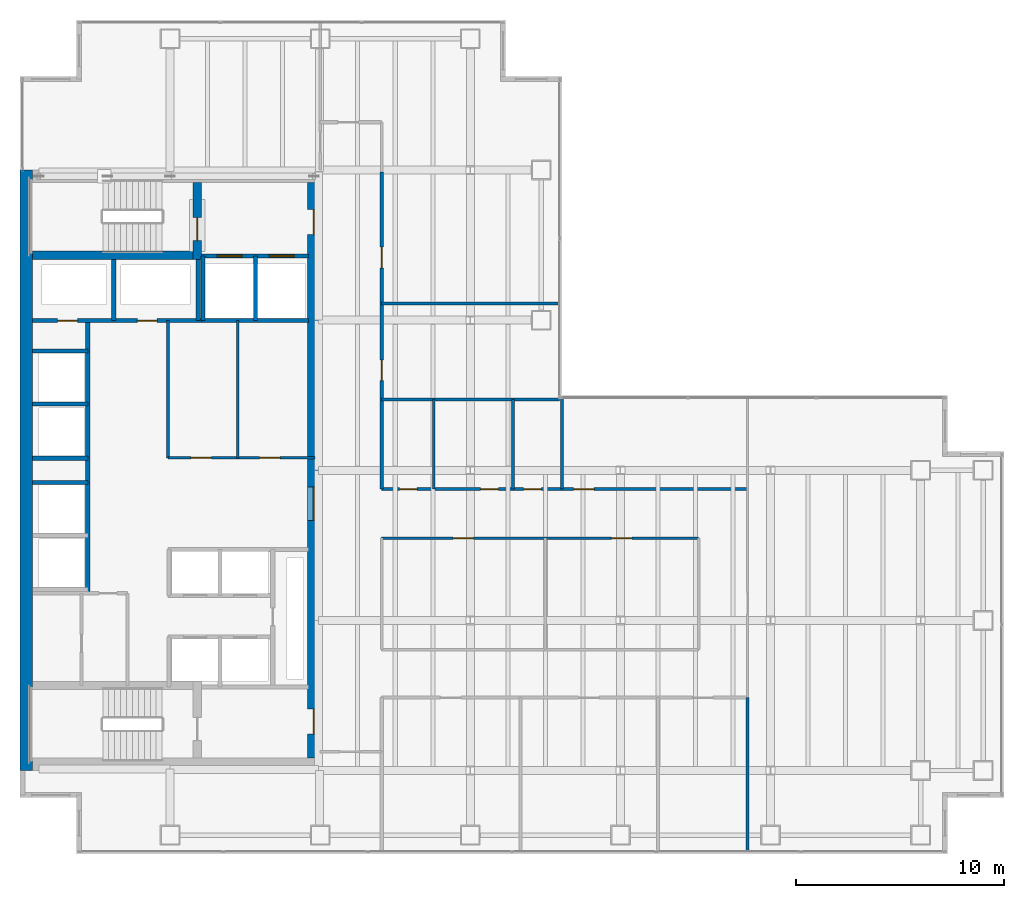
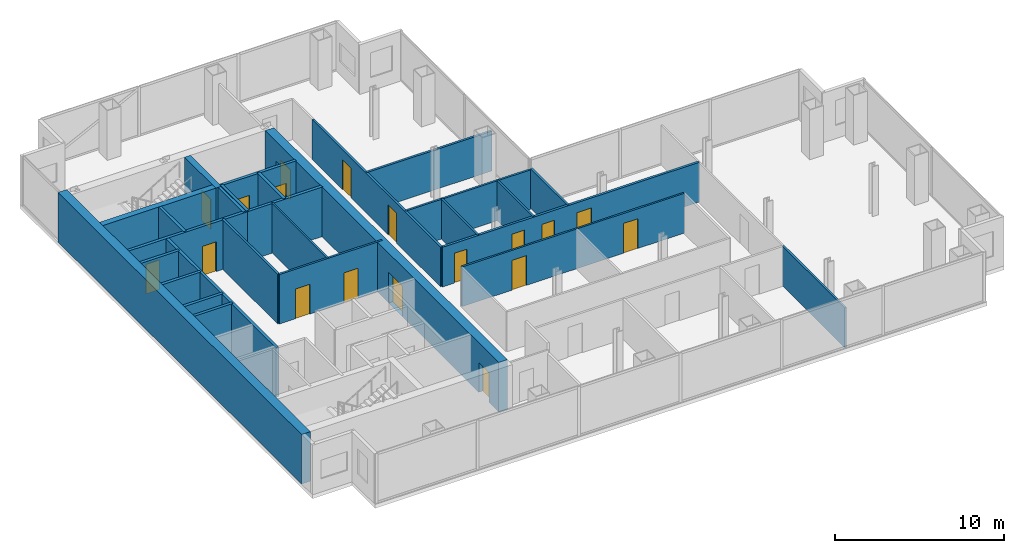
# One storey, part 21 of 23: 28 walls, 18 doors, 18 openings.
"""IFC4 building model written with IfcOpenShell, lengths in metres."""

from ifc_helpers import new_model, si_unit, direction, frame, frame_2d, origin, place, context, subcontext, project, spatial, rectangle, extrude, material, layer, layer_set, type_object, element, fill, save


model = new_model("IFC4")

# Units and contexts
model_context = context("Model", 3, precision=1e-05, world=origin(), true_north=direction((0.0, 1.0)))
body_context = subcontext(model_context, "Body", "Model", "MODEL_VIEW")
ifc_project = project(units=[si_unit("LENGTHUNIT", "METRE"), si_unit("AREAUNIT", "SQUARE_METRE"), si_unit("VOLUMEUNIT", "CUBIC_METRE"), si_unit("PLANEANGLEUNIT", "RADIAN"), si_unit("MASSUNIT", "GRAM", prefix="KILO")], contexts=[model_context])

# Site, building, storey
site_placement = place(None, origin())
site = spatial("IfcSite", under=ifc_project, at=site_placement, CompositionType="ELEMENT")
building_placement = place(site_placement, origin())
building = spatial("IfcBuilding", under=site, at=building_placement, Name="Cobrela Telecom Tower", CompositionType="ELEMENT")
storey_placement = place(building_placement, frame((0.0, 0.0, 113.75)))
storey = spatial("IfcBuildingStorey", under=building, at=storey_placement, Name="L28", CompositionType="ELEMENT", Elevation=113.75)

# Wall
ifc_material_1 = material(Name="Concrete C50/60", Category="concrete")
ifc_layer_1 = layer(ifc_material_1, 0.60009765625)
ifc_layer_set_1 = layer_set([ifc_layer_1], Name="Concrete C50/60")
wall_type_1 = type_object("IfcWallType", Name="WALL-CORE-C50-600", PredefinedType="SHEAR", material=ifc_layer_set_1)
wall_1_placement = place(storey_placement, frame((0.300048828125, 7.199951171875, 0.0), z_axis=(0.0, 0.0, 1.0), x_axis=(0.0, 1.0, 0.0)))
element("IfcWall", 1, at=wall_1_placement, inside=storey, type_object=wall_type_1, Name="L28 West Core Shear Wall", PredefinedType="SHEAR", context=body_context, shape_type="SweptSolid", body=[
    extrude(rectangle(XDim=28.800048828125, YDim=0.60009765625, at=frame_2d((14.39990234375, 0.0))), origin(), (0.0, 0.0, 1.0), 3.580078125),
])

# Wall, openings, doors
wall_2_placement = place(storey_placement, frame((14.10009765625, 35.39990234375, 0.0), z_axis=(0.0, 0.0, 1.0), x_axis=(0.0, -1.0, 0.0)))
wall_2 = element("IfcWall", 2, at=wall_2_placement, inside=storey, type_object=wall_type_1, Name="L28 East Core Shear Wall", PredefinedType="SHEAR", context=body_context, shape_type="SweptSolid", body=[
    extrude(rectangle(XDim=27.599853515625, YDim=0.60009765625, at=frame_2d((13.7998046875, 0.0))), origin(), (0.0, 0.0, 1.0), 3.580078125),
])
opening_1_placement = place(wall_2_placement, frame((1.300048828125, 0.0, 0.0)))
opening_1 = element("IfcOpeningElement", 3, at=opening_1_placement, cuts=wall_2, Name="Opening DR-19", PredefinedType="OPENING", context=body_context, shape_type="SweptSolid", body=[
    extrude(rectangle(XDim=1.199951171875, YDim=2.14990234375, at=frame_2d((0.60009765625, 1.074951171875))), frame((0.0, 0.31201171875, 0.0), z_axis=(0.0, -1.0, 0.0), x_axis=(1.0, 0.0, 0.0)), (0.0, 0.0, 1.0), 0.6240234375),
])
opening_2_placement = place(wall_2_placement, frame((25.25, 0.0, 0.0)))
opening_2 = element("IfcOpeningElement", 4, at=opening_2_placement, cuts=wall_2, Name="Opening DR-19", PredefinedType="OPENING", context=body_context, shape_type="SweptSolid", body=[
    extrude(rectangle(XDim=1.199951171875, YDim=2.14990234375, at=frame_2d((0.60009765625, 1.074951171875))), frame((0.0, 0.31201171875, 0.0), z_axis=(0.0, -1.0, 0.0), x_axis=(1.0, 0.0, 0.0)), (0.0, 0.0, 1.0), 0.6240234375),
])
opening_3_placement = place(wall_2_placement, frame((14.60009765625, 0.0, 0.0)))
opening_3 = element("IfcOpeningElement", 5, at=opening_3_placement, cuts=wall_2, Name="Opening DR-51", PredefinedType="OPENING", context=body_context, shape_type="SweptSolid", body=[
    extrude(rectangle(XDim=1.60009765625, YDim=2.199951171875, at=frame_2d((0.800048828125, 1.10009765625))), frame((0.0, 0.31201171875, 0.0), z_axis=(0.0, -1.0, 0.0), x_axis=(1.0, 0.0, 0.0)), (0.0, 0.0, 1.0), 0.6240234375),
])
ifc_material_2 = material(Name="Steel ASTM A36", Category="steel")
door_type_1 = type_object("IfcDoorType", Name="DOOR-FD60-1200", OperationType="SINGLE_SWING_LEFT", PredefinedType="DOOR", material=ifc_material_2)
door_1_placement = place(opening_1_placement, origin())
door_1 = element("IfcDoor", 6, at=door_1_placement, inside=storey, type_object=door_type_1, Name="L28 Door DR-19", OperationType="SINGLE_SWING_LEFT", OverallHeight=2.14990234375, OverallWidth=1.199951171875, PredefinedType="DOOR", context=body_context, shape_type="SweptSolid", body=[
    extrude(rectangle(XDim=1.199951171875, YDim=2.14990234375, at=frame_2d((0.60009765625, 1.074951171875))), frame((0.0, 0.02490234375, 0.0), z_axis=(0.0, -1.0, 0.0), x_axis=(1.0, 0.0, 0.0)), (0.0, 0.0, 1.0), 0.050048828125),
])
fill(opening_1, door_1)
door_2_placement = place(opening_2_placement, origin())
door_2 = element("IfcDoor", 7, at=door_2_placement, inside=storey, type_object=door_type_1, Name="L28 Door DR-19", OperationType="SINGLE_SWING_RIGHT", OverallHeight=2.14990234375, OverallWidth=1.199951171875, PredefinedType="DOOR", context=body_context, shape_type="SweptSolid", body=[
    extrude(rectangle(XDim=1.199951171875, YDim=2.14990234375, at=frame_2d((0.60009765625, 1.074951171875))), frame((0.0, 0.02490234375, 0.0), z_axis=(0.0, -1.0, 0.0), x_axis=(1.0, 0.0, 0.0)), (0.0, 0.0, 1.0), 0.050048828125),
])
fill(opening_2, door_2)
door_type_2 = type_object("IfcDoorType", Name="DOOR-FD60-1600", OperationType="SINGLE_SWING_LEFT", PredefinedType="DOOR", material=ifc_material_2)
door_3_placement = place(opening_3_placement, origin())
door_3 = element("IfcDoor", 8, at=door_3_placement, inside=storey, type_object=door_type_2, Name="L28 Door DR-51", OperationType="DOUBLE_DOOR_SINGLE_SWING", OverallHeight=2.199951171875, OverallWidth=1.60009765625, PredefinedType="DOOR", context=body_context, shape_type="SweptSolid", body=[
    extrude(rectangle(XDim=1.60009765625, YDim=2.199951171875, at=frame_2d((0.800048828125, 1.10009765625))), frame((0.0, 0.02490234375, 0.0), z_axis=(0.0, -1.0, 0.0), x_axis=(1.0, 0.0, 0.0)), (0.0, 0.0, 1.0), 0.050048828125),
])
fill(opening_3, door_3)

# Wall
ifc_material_3 = material(Name="Fire-Rated Gypsum Plasterboard")
ifc_layer_2 = layer(ifc_material_3, 0.110107421875)
ifc_layer_set_2 = layer_set([ifc_layer_2], Name="Fire-Rated Gypsum Plasterboard")
wall_type_2 = type_object("IfcWallType", Name="WALL-PART-110", PredefinedType="PARTITIONING", material=ifc_layer_set_2)
wall_3_placement = place(storey_placement, frame((10.449951171875, 22.199951171875, 0.0), z_axis=(0.0, 0.0, 1.0), x_axis=(0.0, 1.0, 0.0)))
element("IfcWall", 9, at=wall_3_placement, inside=storey, type_object=wall_type_2, Name="L28 Interior Partition CW-RECL-V", PredefinedType="PARTITIONING", context=body_context, shape_type="SweptSolid", body=[
    extrude(rectangle(XDim=6.580078125, YDim=0.110107421875, at=frame_2d((3.2900390625, 0.0))), origin(), (0.0, 0.0, 1.0), 3.580078125),
])

# Wall, openings, doors
ifc_layer_3 = layer(ifc_material_3, 0.125)
ifc_layer_set_3 = layer_set([ifc_layer_3], Name="Fire-Rated Gypsum Plasterboard")
wall_type_3 = type_object("IfcWallType", Name="WALL-PART-125", PredefinedType="PARTITIONING", material=ifc_layer_set_3)
wall_4_placement = place(storey_placement, frame((17.35009765625, 18.35009765625, 0.0), z_axis=(0.0, 0.0, 1.0), x_axis=(1.0, 0.0, 0.0)))
wall_4 = element("IfcWall", 10, at=wall_4_placement, inside=storey, type_object=wall_type_3, Name="L28 Interior Partition W-ISL-N", PredefinedType="PARTITIONING", context=body_context, shape_type="SweptSolid", body=[
    extrude(rectangle(XDim=15.199951171875, YDim=0.125, at=frame_2d((7.60009765625, 0.0))), origin(), (0.0, 0.0, 1.0), 2.868896484375),
])
opening_4_placement = place(wall_4_placement, frame((3.419921875, 0.0, 0.0)))
opening_4 = element("IfcOpeningElement", 11, at=opening_4_placement, cuts=wall_4, Name="Opening DR-17", PredefinedType="OPENING", context=body_context, shape_type="SweptSolid", body=[
    extrude(rectangle(XDim=0.97998046875, YDim=2.14990234375, at=frame_2d((0.489990234375, 1.074951171875))), frame((0.0, 0.074462890625, 0.0), z_axis=(0.0, -1.0, 0.0), x_axis=(1.0, 0.0, 0.0)), (0.0, 0.0, 1.0), 0.14892578125),
])
opening_5_placement = place(wall_4_placement, frame((11.02001953125, 0.0, 0.0)))
opening_5 = element("IfcOpeningElement", 12, at=opening_5_placement, cuts=wall_4, Name="Opening DR-17", PredefinedType="OPENING", context=body_context, shape_type="SweptSolid", body=[
    extrude(rectangle(XDim=0.97998046875, YDim=2.14990234375, at=frame_2d((0.489990234375, 1.074951171875))), frame((0.0, 0.074462890625, 0.0), z_axis=(0.0, -1.0, 0.0), x_axis=(1.0, 0.0, 0.0)), (0.0, 0.0, 1.0), 0.14892578125),
])
ifc_material_4 = material(Name="Solid Engineered Oak Timber", Category="wood")
door_type_3 = type_object("IfcDoorType", Name="DOOR-INT-980", OperationType="SINGLE_SWING_LEFT", PredefinedType="DOOR", material=ifc_material_4)
door_4_placement = place(opening_4_placement, origin())
door_4 = element("IfcDoor", 13, at=door_4_placement, inside=storey, type_object=door_type_3, Name="L28 Door DR-17", OperationType="SINGLE_SWING_LEFT", OverallHeight=2.14990234375, OverallWidth=0.97998046875, PredefinedType="DOOR", context=body_context, shape_type="SweptSolid", body=[
    extrude(rectangle(XDim=0.97998046875, YDim=2.14990234375, at=frame_2d((0.489990234375, 1.074951171875))), frame((0.0, 0.02490234375, 0.0), z_axis=(0.0, -1.0, 0.0), x_axis=(1.0, 0.0, 0.0)), (0.0, 0.0, 1.0), 0.050048828125),
])
fill(opening_4, door_4)
door_5_placement = place(opening_5_placement, origin())
door_5 = element("IfcDoor", 14, at=door_5_placement, inside=storey, type_object=door_type_3, Name="L28 Door DR-17", OperationType="SINGLE_SWING_RIGHT", OverallHeight=2.14990234375, OverallWidth=0.97998046875, PredefinedType="DOOR", context=body_context, shape_type="SweptSolid", body=[
    extrude(rectangle(XDim=0.97998046875, YDim=2.14990234375, at=frame_2d((0.489990234375, 1.074951171875))), frame((0.0, 0.02490234375, 0.0), z_axis=(0.0, -1.0, 0.0), x_axis=(1.0, 0.0, 0.0)), (0.0, 0.0, 1.0), 0.050048828125),
])
fill(opening_5, door_5)

# Walls
for number, where, z_axis, x_axis, name in (
    (15, (19.85009765625, 20.699951171875, 0.0), (0.0, 0.0, 1.0), (0.0, 1.0, 0.0), "L28 Interior Partition W-WC-V1"),
    (16, (23.64990234375, 20.699951171875, 0.0), (0.0, 0.0, 1.0), (0.0, 1.0, 0.0), "L28 Interior Partition W-WC-V2"),
):
    element("IfcWall", number, at=place(storey_placement, frame(where, z_axis=z_axis, x_axis=x_axis)), inside=storey, type_object=wall_type_3, Name=name, PredefinedType="PARTITIONING", context=body_context, shape_type="SweptSolid", body=[
        extrude(rectangle(XDim=4.300048828125, YDim=0.125, at=frame_2d((2.14990234375, 0.0))), origin(), (0.0, 0.0, 1.0), 2.868896484375),
    ])

# Wall, openings, doors
ifc_layer_4 = layer(ifc_material_3, 0.135009765625)
ifc_layer_set_4 = layer_set([ifc_layer_4], Name="Fire-Rated Gypsum Plasterboard")
wall_type_4 = type_object("IfcWallType", Name="WALL-PART-135", PredefinedType="PARTITIONING", material=ifc_layer_set_4)
wall_5_placement = place(storey_placement, frame((7.10009765625, 22.199951171875, 0.0), z_axis=(0.0, 0.0, 1.0), x_axis=(1.0, 0.0, 0.0)))
wall_5 = element("IfcWall", 17, at=wall_5_placement, inside=storey, type_object=wall_type_4, Name="L28 Interior Partition CW-RECL-S", PredefinedType="PARTITIONING", context=body_context, shape_type="SweptSolid", body=[
    extrude(rectangle(XDim=7.0498046875, YDim=0.135009765625, at=frame_2d((3.52490234375, 0.0))), origin(), (0.0, 0.0, 1.0), 3.580078125),
])
opening_6_placement = place(wall_5_placement, frame((1.10009765625, 0.0, 0.0)))
opening_6 = element("IfcOpeningElement", 18, at=opening_6_placement, cuts=wall_5, Name="Opening DR-17", PredefinedType="OPENING", context=body_context, shape_type="SweptSolid", body=[
    extrude(rectangle(XDim=0.97998046875, YDim=2.14990234375, at=frame_2d((0.489990234375, 1.074951171875))), frame((0.0, 0.07958984375, 0.0), z_axis=(0.0, -1.0, 0.0), x_axis=(1.0, 0.0, 0.0)), (0.0, 0.0, 1.0), 0.158935546875),
])
opening_7_placement = place(wall_5_placement, frame((4.39990234375, 0.0, 0.0)))
opening_7 = element("IfcOpeningElement", 19, at=opening_7_placement, cuts=wall_5, Name="Opening DR-17", PredefinedType="OPENING", context=body_context, shape_type="SweptSolid", body=[
    extrude(rectangle(XDim=0.97998046875, YDim=2.14990234375, at=frame_2d((0.489990234375, 1.074951171875))), frame((0.0, 0.07958984375, 0.0), z_axis=(0.0, -1.0, 0.0), x_axis=(1.0, 0.0, 0.0)), (0.0, 0.0, 1.0), 0.158935546875),
])
door_6_placement = place(opening_6_placement, origin())
door_6 = element("IfcDoor", 20, at=door_6_placement, inside=storey, type_object=door_type_3, Name="L28 Door DR-17", OperationType="SINGLE_SWING_LEFT", OverallHeight=2.14990234375, OverallWidth=0.97998046875, PredefinedType="DOOR", context=body_context, shape_type="SweptSolid", body=[
    extrude(rectangle(XDim=0.97998046875, YDim=2.14990234375, at=frame_2d((0.489990234375, 1.074951171875))), frame((0.0, 0.02490234375, 0.0), z_axis=(0.0, -1.0, 0.0), x_axis=(1.0, 0.0, 0.0)), (0.0, 0.0, 1.0), 0.050048828125),
])
fill(opening_6, door_6)
door_7_placement = place(opening_7_placement, origin())
door_7 = element("IfcDoor", 21, at=door_7_placement, inside=storey, type_object=door_type_3, Name="L28 Door DR-17", OperationType="SINGLE_SWING_RIGHT", OverallHeight=2.14990234375, OverallWidth=0.97998046875, PredefinedType="DOOR", context=body_context, shape_type="SweptSolid", body=[
    extrude(rectangle(XDim=0.97998046875, YDim=2.14990234375, at=frame_2d((0.489990234375, 1.074951171875))), frame((0.0, 0.02490234375, 0.0), z_axis=(0.0, -1.0, 0.0), x_axis=(1.0, 0.0, 0.0)), (0.0, 0.0, 1.0), 0.050048828125),
])
fill(opening_7, door_7)

# Walls
wall_6_placement = place(storey_placement, frame((17.35009765625, 25.0, 0.0), z_axis=(0.0, 0.0, 1.0), x_axis=(1.0, 0.0, 0.0)))
element("IfcWall", 22, at=wall_6_placement, inside=storey, type_object=wall_type_4, Name="L28 Interior Partition W-WC-N", PredefinedType="PARTITIONING", context=body_context, shape_type="SweptSolid", body=[
    extrude(rectangle(XDim=8.52978515625, YDim=0.135009765625, at=frame_2d((4.264892578125, 0.0))), origin(), (0.0, 0.0, 1.0), 2.868896484375),
])
wall_7_placement = place(storey_placement, frame((34.89990234375, 3.320068359375, 0.0), z_axis=(0.0, 0.0, 1.0), x_axis=(0.0, 1.0, 0.0)))
element("IfcWall", 23, at=wall_7_placement, inside=storey, type_object=wall_type_4, Name="L28 Interior Partition W-UFE-S", PredefinedType="PARTITIONING", context=body_context, shape_type="SweptSolid", body=[
    extrude(rectangle(XDim=7.3798828125, YDim=0.135009765625, at=frame_2d((3.68994140625, 0.0))), origin(), (0.0, 0.0, 1.0), 2.868896484375),
])
ifc_layer_5 = layer(ifc_material_3, 0.14990234375)
ifc_layer_set_5 = layer_set([ifc_layer_5], Name="Fire-Rated Gypsum Plasterboard")
wall_type_5 = type_object("IfcWallType", Name="WALL-PART-150", PredefinedType="PARTITIONING", material=ifc_layer_set_5)
wall_8_placement = place(storey_placement, frame((7.10009765625, 22.199951171875, 0.0), z_axis=(0.0, 0.0, 1.0), x_axis=(0.0, 1.0, 0.0)))
element("IfcWall", 24, at=wall_8_placement, inside=storey, type_object=wall_type_5, Name="L28 Interior Partition CW-RECL-W", PredefinedType="PARTITIONING", context=body_context, shape_type="SweptSolid", body=[
    extrude(rectangle(XDim=6.580078125, YDim=0.14990234375, at=frame_2d((3.2900390625, 0.0))), origin(), (0.0, 0.0, 1.0), 3.580078125),
])

# Wall, openings, doors
wall_9_placement = place(storey_placement, frame((17.35009765625, 20.699951171875, 0.0), z_axis=(0.0, 0.0, 1.0), x_axis=(0.0, 1.0, 0.0)))
wall_9 = element("IfcWall", 25, at=wall_9_placement, inside=storey, type_object=wall_type_5, Name="L28 Interior Partition W-UW-E2", PredefinedType="PARTITIONING", context=body_context, shape_type="SweptSolid", body=[
    extrude(rectangle(XDim=15.199951171875, YDim=0.14990234375, at=frame_2d((7.60009765625, 0.0))), origin(), (0.0, 0.0, 1.0), 2.868896484375),
])
opening_8_placement = place(wall_9_placement, frame((5.199951171875, 0.0, 0.0)))
opening_8 = element("IfcOpeningElement", 26, at=opening_8_placement, cuts=wall_9, Name="Opening DR-17", PredefinedType="OPENING", context=body_context, shape_type="SweptSolid", body=[
    extrude(rectangle(XDim=0.97998046875, YDim=2.14990234375, at=frame_2d((0.489990234375, 1.074951171875))), frame((0.0, 0.0869140625, 0.0), z_axis=(0.0, -1.0, 0.0), x_axis=(1.0, 0.0, 0.0)), (0.0, 0.0, 1.0), 0.173828125),
])
opening_9_placement = place(wall_9_placement, frame((10.60009765625, 0.0, 0.0)))
opening_9 = element("IfcOpeningElement", 27, at=opening_9_placement, cuts=wall_9, Name="Opening DR-31", PredefinedType="OPENING", context=body_context, shape_type="SweptSolid", body=[
    extrude(rectangle(XDim=1.0, YDim=2.14990234375, at=frame_2d((0.5, 1.074951171875))), frame((0.0, 0.0869140625, 0.0), z_axis=(0.0, -1.0, 0.0), x_axis=(1.0, 0.0, 0.0)), (0.0, 0.0, 1.0), 0.173828125),
])
door_type_4 = type_object("IfcDoorType", Name="DOOR-INT-1000", OperationType="SINGLE_SWING_LEFT", PredefinedType="DOOR", material=ifc_material_4)
door_8_placement = place(opening_9_placement, origin())
door_8 = element("IfcDoor", 28, at=door_8_placement, inside=storey, type_object=door_type_4, Name="L28 Door DR-31", OperationType="SINGLE_SWING_LEFT", OverallHeight=2.14990234375, OverallWidth=1.0, PredefinedType="DOOR", context=body_context, shape_type="SweptSolid", body=[
    extrude(rectangle(XDim=1.0, YDim=2.14990234375, at=frame_2d((0.5, 1.074951171875))), frame((0.0, 0.02490234375, 0.0), z_axis=(0.0, -1.0, 0.0), x_axis=(1.0, 0.0, 0.0)), (0.0, 0.0, 1.0), 0.050048828125),
])
fill(opening_9, door_8)
door_9_placement = place(opening_8_placement, origin())
door_9 = element("IfcDoor", 29, at=door_9_placement, inside=storey, type_object=door_type_3, Name="L28 Door DR-17", OperationType="SINGLE_SWING_RIGHT", OverallHeight=2.14990234375, OverallWidth=0.97998046875, PredefinedType="DOOR", context=body_context, shape_type="SweptSolid", body=[
    extrude(rectangle(XDim=0.97998046875, YDim=2.14990234375, at=frame_2d((0.489990234375, 1.074951171875))), frame((0.0, 0.02490234375, 0.0), z_axis=(0.0, -1.0, 0.0), x_axis=(1.0, 0.0, 0.0)), (0.0, 0.0, 1.0), 0.050048828125),
])
fill(opening_8, door_9)

# Walls
wall_10_placement = place(storey_placement, frame((17.35009765625, 29.60009765625, 0.0), z_axis=(0.0, 0.0, 1.0), x_axis=(1.0, 0.0, 0.0)))
element("IfcWall", 30, at=wall_10_placement, inside=storey, type_object=wall_type_5, Name="L28 Interior Partition W-NPAN-N", PredefinedType="PARTITIONING", context=body_context, shape_type="SweptSolid", body=[
    extrude(rectangle(XDim=8.52978515625, YDim=0.14990234375, at=frame_2d((4.264892578125, 0.0))), origin(), (0.0, 0.0, 1.0), 2.868896484375),
])
wall_11_placement = place(storey_placement, frame((26.0, 20.699951171875, 0.0), z_axis=(0.0, 0.0, 1.0), x_axis=(0.0, 1.0, 0.0)))
element("IfcWall", 31, at=wall_11_placement, inside=storey, type_object=wall_type_5, Name="L28 Interior Partition W-UEN-W", PredefinedType="PARTITIONING", context=body_context, shape_type="SweptSolid", body=[
    extrude(rectangle(XDim=4.380126953125, YDim=0.14990234375, at=frame_2d((2.18994140625, 0.0))), origin(), (0.0, 0.0, 1.0), 2.868896484375),
])

# Wall, openings, doors
ifc_layer_6 = layer(ifc_material_3, 0.159912109375)
ifc_layer_set_6 = layer_set([ifc_layer_6], Name="Fire-Rated Gypsum Plasterboard")
wall_type_6 = type_object("IfcWallType", Name="WALL-PART-160", PredefinedType="PARTITIONING", material=ifc_layer_set_6)
wall_12_placement = place(storey_placement, frame((17.35009765625, 20.699951171875, 0.0), z_axis=(0.0, 0.0, 1.0), x_axis=(1.0, 0.0, 0.0)))
wall_12 = element("IfcWall", 32, at=wall_12_placement, inside=storey, type_object=wall_type_6, Name="L28 Interior Partition W-UN-N", PredefinedType="PARTITIONING", context=body_context, shape_type="SweptSolid", body=[
    extrude(rectangle(XDim=17.5498046875, YDim=0.159912109375, at=frame_2d((8.77490234375, 0.0))), origin(), (0.0, 0.0, 1.0), 2.868896484375),
])
opening_10_placement = place(wall_12_placement, frame((0.85009765625, 0.0, 0.0)))
opening_10 = element("IfcOpeningElement", 33, at=opening_10_placement, cuts=wall_12, Name="Opening DR-11", PredefinedType="OPENING", context=body_context, shape_type="SweptSolid", body=[
    extrude(rectangle(XDim=0.85009765625, YDim=2.14990234375, at=frame_2d((0.425048828125, 1.074951171875))), frame((0.0, 0.091796875, 0.0), z_axis=(0.0, -1.0, 0.0), x_axis=(1.0, 0.0, 0.0)), (0.0, 0.0, 1.0), 0.183837890625),
])
opening_11_placement = place(wall_12_placement, frame((4.75, 0.0, 0.0)))
opening_11 = element("IfcOpeningElement", 34, at=opening_11_placement, cuts=wall_12, Name="Opening DR-11", PredefinedType="OPENING", context=body_context, shape_type="SweptSolid", body=[
    extrude(rectangle(XDim=0.85009765625, YDim=2.14990234375, at=frame_2d((0.425048828125, 1.074951171875))), frame((0.0, 0.091796875, 0.0), z_axis=(0.0, -1.0, 0.0), x_axis=(1.0, 0.0, 0.0)), (0.0, 0.0, 1.0), 0.183837890625),
])
opening_12_placement = place(wall_12_placement, frame((6.81005859375, 0.0, 0.0)))
opening_12 = element("IfcOpeningElement", 35, at=opening_12_placement, cuts=wall_12, Name="Opening DR-11", PredefinedType="OPENING", context=body_context, shape_type="SweptSolid", body=[
    extrude(rectangle(XDim=0.85009765625, YDim=2.14990234375, at=frame_2d((0.425048828125, 1.074951171875))), frame((0.0, 0.091796875, 0.0), z_axis=(0.0, -1.0, 0.0), x_axis=(1.0, 0.0, 0.0)), (0.0, 0.0, 1.0), 0.183837890625),
])
opening_13_placement = place(wall_12_placement, frame((9.2099609375, 0.0, 0.0)))
opening_13 = element("IfcOpeningElement", 36, at=opening_13_placement, cuts=wall_12, Name="Opening DR-17", PredefinedType="OPENING", context=body_context, shape_type="SweptSolid", body=[
    extrude(rectangle(XDim=0.97998046875, YDim=2.14990234375, at=frame_2d((0.489990234375, 1.074951171875))), frame((0.0, 0.091796875, 0.0), z_axis=(0.0, -1.0, 0.0), x_axis=(1.0, 0.0, 0.0)), (0.0, 0.0, 1.0), 0.183837890625),
])
door_type_5 = type_object("IfcDoorType", Name="DOOR-INT-850", OperationType="SINGLE_SWING_LEFT", PredefinedType="DOOR", material=ifc_material_4)
door_10_placement = place(opening_10_placement, origin())
door_10 = element("IfcDoor", 37, at=door_10_placement, inside=storey, type_object=door_type_5, Name="L28 Door DR-11", OperationType="SINGLE_SWING_LEFT", OverallHeight=2.14990234375, OverallWidth=0.85009765625, PredefinedType="DOOR", context=body_context, shape_type="SweptSolid", body=[
    extrude(rectangle(XDim=0.85009765625, YDim=2.14990234375, at=frame_2d((0.425048828125, 1.074951171875))), frame((0.0, 0.02490234375, 0.0), z_axis=(0.0, -1.0, 0.0), x_axis=(1.0, 0.0, 0.0)), (0.0, 0.0, 1.0), 0.050048828125),
])
fill(opening_10, door_10)
door_11_placement = place(opening_11_placement, origin())
door_11 = element("IfcDoor", 38, at=door_11_placement, inside=storey, type_object=door_type_5, Name="L28 Door DR-11", OperationType="SINGLE_SWING_RIGHT", OverallHeight=2.14990234375, OverallWidth=0.85009765625, PredefinedType="DOOR", context=body_context, shape_type="SweptSolid", body=[
    extrude(rectangle(XDim=0.85009765625, YDim=2.14990234375, at=frame_2d((0.425048828125, 1.074951171875))), frame((0.0, 0.02490234375, 0.0), z_axis=(0.0, -1.0, 0.0), x_axis=(1.0, 0.0, 0.0)), (0.0, 0.0, 1.0), 0.050048828125),
])
fill(opening_11, door_11)
door_12_placement = place(opening_12_placement, origin())
door_12 = element("IfcDoor", 39, at=door_12_placement, inside=storey, type_object=door_type_5, Name="L28 Door DR-11", OperationType="SINGLE_SWING_LEFT", OverallHeight=2.14990234375, OverallWidth=0.85009765625, PredefinedType="DOOR", context=body_context, shape_type="SweptSolid", body=[
    extrude(rectangle(XDim=0.85009765625, YDim=2.14990234375, at=frame_2d((0.425048828125, 1.074951171875))), frame((0.0, 0.02490234375, 0.0), z_axis=(0.0, -1.0, 0.0), x_axis=(1.0, 0.0, 0.0)), (0.0, 0.0, 1.0), 0.050048828125),
])
fill(opening_12, door_12)
door_13_placement = place(opening_13_placement, origin())
door_13 = element("IfcDoor", 40, at=door_13_placement, inside=storey, type_object=door_type_3, Name="L28 Door DR-17", OperationType="SINGLE_SWING_RIGHT", OverallHeight=2.14990234375, OverallWidth=0.97998046875, PredefinedType="DOOR", context=body_context, shape_type="SweptSolid", body=[
    extrude(rectangle(XDim=0.97998046875, YDim=2.14990234375, at=frame_2d((0.489990234375, 1.074951171875))), frame((0.0, 0.02490234375, 0.0), z_axis=(0.0, -1.0, 0.0), x_axis=(1.0, 0.0, 0.0)), (0.0, 0.0, 1.0), 0.050048828125),
])
fill(opening_13, door_13)

ifc_layer_7 = layer(ifc_material_3, 0.199951171875)
ifc_layer_set_7 = layer_set([ifc_layer_7], Name="Fire-Rated Gypsum Plasterboard")
wall_type_7 = type_object("IfcWallType", Name="WALL-SHAFT-200", PredefinedType="PARTITIONING", material=ifc_layer_set_7)
wall_13_placement = place(storey_placement, frame((8.699951171875, 31.8798828125, 0.0), z_axis=(0.0, 0.0, 1.0), x_axis=(1.0, 0.0, 0.0)))
wall_13 = element("IfcWall", 41, at=wall_13_placement, inside=storey, type_object=wall_type_7, Name="L28 Shaft Enclosure CW-FFL-S", PredefinedType="PARTITIONING", context=body_context, shape_type="SweptSolid", body=[
    extrude(rectangle(XDim=5.150146484375, YDim=0.199951171875, at=frame_2d((2.5751953125, 0.0))), origin(), (0.0, 0.0, 1.0), 3.580078125),
])
opening_14_placement = place(wall_13_placement, frame((0.75, 0.0, 0.0)))
opening_14 = element("IfcOpeningElement", 42, at=opening_14_placement, cuts=wall_13, Name="Opening LD-2", PredefinedType="OPENING", context=body_context, shape_type="SweptSolid", body=[
    extrude(rectangle(XDim=1.199951171875, YDim=2.199951171875, at=frame_2d((0.60009765625, 1.10009765625))), frame((0.0, 0.11181640625, 0.0), z_axis=(0.0, -1.0, 0.0), x_axis=(1.0, 0.0, 0.0)), (0.0, 0.0, 1.0), 0.223876953125),
])
opening_15_placement = place(wall_13_placement, frame((3.25, 0.0, 0.0)))
opening_15 = element("IfcOpeningElement", 43, at=opening_15_placement, cuts=wall_13, Name="Opening LD-2", PredefinedType="OPENING", context=body_context, shape_type="SweptSolid", body=[
    extrude(rectangle(XDim=1.199951171875, YDim=2.199951171875, at=frame_2d((0.60009765625, 1.10009765625))), frame((0.0, 0.11181640625, 0.0), z_axis=(0.0, -1.0, 0.0), x_axis=(1.0, 0.0, 0.0)), (0.0, 0.0, 1.0), 0.223876953125),
])
door_type_6 = type_object("IfcDoorType", Name="DOOR-LD-FFL", OperationType="SINGLE_SWING_LEFT", PredefinedType="DOOR", material=ifc_material_2)
door_14_placement = place(opening_14_placement, origin())
door_14 = element("IfcDoor", 44, at=door_14_placement, inside=storey, type_object=door_type_6, Name="L28 Lift Landing Door LD-2", OperationType="DOUBLE_DOOR_SLIDING", OverallHeight=2.199951171875, OverallWidth=1.199951171875, PredefinedType="DOOR", context=body_context, shape_type="SweptSolid", body=[
    extrude(rectangle(XDim=1.199951171875, YDim=2.199951171875, at=frame_2d((0.60009765625, 1.10009765625))), frame((0.0, 0.02490234375, 0.0), z_axis=(0.0, -1.0, 0.0), x_axis=(1.0, 0.0, 0.0)), (0.0, 0.0, 1.0), 0.050048828125),
])
fill(opening_14, door_14)
door_15_placement = place(opening_15_placement, origin())
door_15 = element("IfcDoor", 45, at=door_15_placement, inside=storey, type_object=door_type_6, Name="L28 Lift Landing Door LD-2", OperationType="DOUBLE_DOOR_SLIDING", OverallHeight=2.199951171875, OverallWidth=1.199951171875, PredefinedType="DOOR", context=body_context, shape_type="SweptSolid", body=[
    extrude(rectangle(XDim=1.199951171875, YDim=2.199951171875, at=frame_2d((0.60009765625, 1.10009765625))), frame((0.0, 0.02490234375, 0.0), z_axis=(0.0, -1.0, 0.0), x_axis=(1.0, 0.0, 0.0)), (0.0, 0.0, 1.0), 0.050048828125),
])
fill(opening_15, door_15)

# Walls
wall_14_placement = place(storey_placement, frame((8.699951171875, 28.780029296875, 0.0), z_axis=(0.0, 0.0, 1.0), x_axis=(1.0, 0.0, 0.0)))
element("IfcWall", 46, at=wall_14_placement, inside=storey, type_object=wall_type_7, Name="L28 Shaft Enclosure CW-FFL-S2", PredefinedType="PARTITIONING", context=body_context, shape_type="SweptSolid", body=[
    extrude(rectangle(XDim=5.150146484375, YDim=0.199951171875, at=frame_2d((2.5751953125, 0.0))), origin(), (0.0, 0.0, 1.0), 3.580078125),
])
for number, where, z_axis, x_axis, name in (
    (47, (8.780029296875, 28.780029296875, 0.0), (0.0, 0.0, 1.0), (0.0, 1.0, 0.0), "L28 Shaft Enclosure CW-FFL-W"),
    (48, (11.300048828125, 28.780029296875, 0.0), (0.0, 0.0, 1.0), (0.0, 1.0, 0.0), "L28 Shaft Enclosure CW-FFL-M"),
):
    element("IfcWall", number, at=place(storey_placement, frame(where, z_axis=z_axis, x_axis=x_axis)), inside=storey, type_object=wall_type_7, Name=name, PredefinedType="PARTITIONING", context=body_context, shape_type="SweptSolid", body=[
        extrude(rectangle(XDim=3.099853515625, YDim=0.199951171875, at=frame_2d((1.5498046875, 0.0))), origin(), (0.0, 0.0, 1.0), 3.580078125),
    ])

# Wall, openings, doors
wall_15_placement = place(storey_placement, frame((0.60009765625, 28.780029296875, 0.0), z_axis=(0.0, 0.0, 1.0), x_axis=(1.0, 0.0, 0.0)))
wall_15 = element("IfcWall", 49, at=wall_15_placement, inside=storey, type_object=wall_type_7, Name="L28 Shaft Enclosure CW-RIS-S", PredefinedType="PARTITIONING", context=body_context, shape_type="SweptSolid", body=[
    extrude(rectangle(XDim=8.179931640625, YDim=0.199951171875, at=frame_2d((4.08984375, 0.0))), origin(), (0.0, 0.0, 1.0), 3.580078125),
])
opening_16_placement = place(wall_15_placement, frame((1.2099609375, 0.0, 0.0)))
opening_16 = element("IfcOpeningElement", 50, at=opening_16_placement, cuts=wall_15, Name="Opening DR-65", PredefinedType="OPENING", context=body_context, shape_type="SweptSolid", body=[
    extrude(rectangle(XDim=0.949951171875, YDim=2.14990234375, at=frame_2d((0.47509765625, 1.074951171875))), frame((0.0, 0.11181640625, 0.0), z_axis=(0.0, -1.0, 0.0), x_axis=(1.0, 0.0, 0.0)), (0.0, 0.0, 1.0), 0.223876953125),
])
opening_17_placement = place(wall_15_placement, frame((5.030029296875, 0.0, 0.0)))
opening_17 = element("IfcOpeningElement", 51, at=opening_17_placement, cuts=wall_15, Name="Opening DR-65", PredefinedType="OPENING", context=body_context, shape_type="SweptSolid", body=[
    extrude(rectangle(XDim=0.949951171875, YDim=2.14990234375, at=frame_2d((0.47509765625, 1.074951171875))), frame((0.0, 0.11181640625, 0.0), z_axis=(0.0, -1.0, 0.0), x_axis=(1.0, 0.0, 0.0)), (0.0, 0.0, 1.0), 0.223876953125),
])
door_type_7 = type_object("IfcDoorType", Name="DOOR-FD60-950", OperationType="SINGLE_SWING_LEFT", PredefinedType="DOOR", material=ifc_material_2)
door_16_placement = place(opening_16_placement, origin())
door_16 = element("IfcDoor", 52, at=door_16_placement, inside=storey, type_object=door_type_7, Name="L28 Door DR-65", OperationType="SINGLE_SWING_LEFT", OverallHeight=2.14990234375, OverallWidth=0.949951171875, PredefinedType="DOOR", context=body_context, shape_type="SweptSolid", body=[
    extrude(rectangle(XDim=0.949951171875, YDim=2.14990234375, at=frame_2d((0.47509765625, 1.074951171875))), frame((0.0, 0.02490234375, 0.0), z_axis=(0.0, -1.0, 0.0), x_axis=(1.0, 0.0, 0.0)), (0.0, 0.0, 1.0), 0.050048828125),
])
fill(opening_16, door_16)
door_17_placement = place(opening_17_placement, origin())
door_17 = element("IfcDoor", 53, at=door_17_placement, inside=storey, type_object=door_type_7, Name="L28 Door DR-65", OperationType="SINGLE_SWING_RIGHT", OverallHeight=2.14990234375, OverallWidth=0.949951171875, PredefinedType="DOOR", context=body_context, shape_type="SweptSolid", body=[
    extrude(rectangle(XDim=0.949951171875, YDim=2.14990234375, at=frame_2d((0.47509765625, 1.074951171875))), frame((0.0, 0.02490234375, 0.0), z_axis=(0.0, -1.0, 0.0), x_axis=(1.0, 0.0, 0.0)), (0.0, 0.0, 1.0), 0.050048828125),
])
fill(opening_17, door_17)

# Walls
for number, where, z_axis, x_axis, name in (
    (54, (4.5, 28.780029296875, 0.0), (0.0, 0.0, 1.0), (0.0, 1.0, 0.0), "L28 Shaft Enclosure CW-RIS-M"),
    (55, (8.550048828125, 28.780029296875, 0.0), (0.0, 0.0, 1.0), (0.0, 1.0, 0.0), "L28 Shaft Enclosure CW-RIS-E"),
):
    element("IfcWall", number, at=place(storey_placement, frame(where, z_axis=z_axis, x_axis=x_axis)), inside=storey, type_object=wall_type_7, Name=name, PredefinedType="PARTITIONING", context=body_context, shape_type="SweptSolid", body=[
        extrude(rectangle(XDim=2.93994140625, YDim=0.199951171875, at=frame_2d((1.469970703125, 0.0))), origin(), (0.0, 0.0, 1.0), 3.580078125),
    ])
wall_16_placement = place(storey_placement, frame((3.25, 15.699951171875, 0.0), z_axis=(0.0, 0.0, 1.0), x_axis=(0.0, 1.0, 0.0)))
element("IfcWall", 56, at=wall_16_placement, inside=storey, type_object=wall_type_7, Name="L28 Shaft Enclosure CW-PLH-E", PredefinedType="PARTITIONING", context=body_context, shape_type="SweptSolid", body=[
    extrude(rectangle(XDim=13.080078125, YDim=0.199951171875, at=frame_2d((6.5400390625, 0.0))), origin(), (0.0, 0.0, 1.0), 3.580078125),
])
for number, where, z_axis, x_axis, name in (
    (57, (0.60009765625, 22.179931640625, 0.0), (0.0, 0.0, 1.0), (1.0, 0.0, 0.0), "L28 Shaft Enclosure CW-PLH-D11"),
    (58, (0.60009765625, 24.780029296875, 0.0), (0.0, 0.0, 1.0), (1.0, 0.0, 0.0), "L28 Shaft Enclosure CW-PLH-D12"),
    (59, (0.60009765625, 21.02001953125, 0.0), (0.0, 0.0, 1.0), (1.0, 0.0, 0.0), "L28 Shaft Enclosure CW-PLH-MID"),
    (60, (0.60009765625, 27.320068359375, 0.0), (0.0, 0.0, 1.0), (1.0, 0.0, 0.0), "L28 Shaft Enclosure CW-PLH-TOP"),
):
    element("IfcWall", number, at=place(storey_placement, frame(where, z_axis=z_axis, x_axis=x_axis)), inside=storey, type_object=wall_type_7, Name=name, PredefinedType="PARTITIONING", context=body_context, shape_type="SweptSolid", body=[
        extrude(rectangle(XDim=2.64990234375, YDim=0.199951171875, at=frame_2d((1.324951171875, 0.0))), origin(), (0.0, 0.0, 1.0), 3.580078125),
    ])
ifc_material_5 = material(Name="Concrete C40/50", Category="concrete")
ifc_layer_8 = layer(ifc_material_5, 0.39990234375)
ifc_layer_set_8 = layer_set([ifc_layer_8], Name="Concrete C40/50")
wall_type_8 = type_object("IfcWallType", Name="WALL-SHAFT-C40-400", PredefinedType="SHEAR", material=ifc_layer_set_8)
wall_17_placement = place(storey_placement, frame((0.60009765625, 31.919921875, 0.0), z_axis=(0.0, 0.0, 1.0), x_axis=(1.0, 0.0, 0.0)))
element("IfcWall", 61, at=wall_17_placement, inside=storey, type_object=wall_type_8, Name="L28 North Stair Shear Wall", PredefinedType="SHEAR", context=body_context, shape_type="SweptSolid", body=[
    extrude(rectangle(XDim=7.699951171875, YDim=0.39990234375, at=frame_2d((3.85009765625, 0.0))), origin(), (0.0, 0.0, 1.0), 3.580078125),
])

# Wall, opening, door
wall_18_placement = place(storey_placement, frame((8.5, 31.719970703125, 0.0), z_axis=(0.0, 0.0, 1.0), x_axis=(0.0, 1.0, 0.0)))
wall_18 = element("IfcWall", 62, at=wall_18_placement, inside=storey, type_object=wall_type_8, Name="L28 North Stair Lobby Shear Wall", PredefinedType="SHEAR", context=body_context, shape_type="SweptSolid", body=[
    extrude(rectangle(XDim=3.679931640625, YDim=0.39990234375, at=frame_2d((1.83984375, 0.0))), origin(), (0.0, 0.0, 1.0), 3.580078125),
])
opening_18_placement = place(wall_18_placement, frame((0.89990234375, 0.0, 0.0)))
opening_18 = element("IfcOpeningElement", 63, at=opening_18_placement, cuts=wall_18, Name="Opening DR-59", PredefinedType="OPENING", context=body_context, shape_type="SweptSolid", body=[
    extrude(rectangle(XDim=1.10009765625, YDim=2.14990234375, at=frame_2d((0.550048828125, 1.074951171875))), frame((0.0, 0.2119140625, 0.0), z_axis=(0.0, -1.0, 0.0), x_axis=(1.0, 0.0, 0.0)), (0.0, 0.0, 1.0), 0.423828125),
])
door_type_8 = type_object("IfcDoorType", Name="DOOR-FD60-1100", OperationType="SINGLE_SWING_LEFT", PredefinedType="DOOR", material=ifc_material_2)
door_18_placement = place(opening_18_placement, origin())
door_18 = element("IfcDoor", 64, at=door_18_placement, inside=storey, type_object=door_type_8, Name="L28 Door DR-59", OperationType="SINGLE_SWING_RIGHT", OverallHeight=2.14990234375, OverallWidth=1.10009765625, PredefinedType="DOOR", context=body_context, shape_type="SweptSolid", body=[
    extrude(rectangle(XDim=1.10009765625, YDim=2.14990234375, at=frame_2d((0.550048828125, 1.074951171875))), frame((0.0, 0.02490234375, 0.0), z_axis=(0.0, -1.0, 0.0), x_axis=(1.0, 0.0, 0.0)), (0.0, 0.0, 1.0), 0.050048828125),
])
fill(opening_18, door_18)

save(model, "model.ifc")
